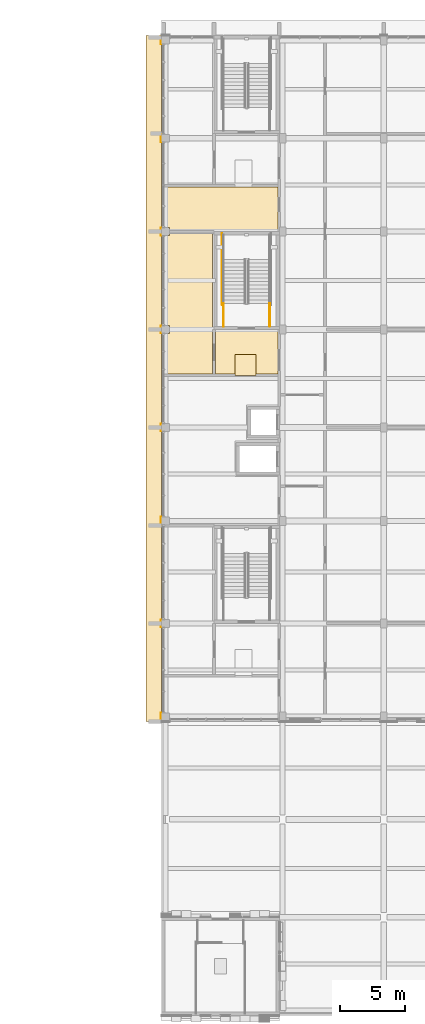
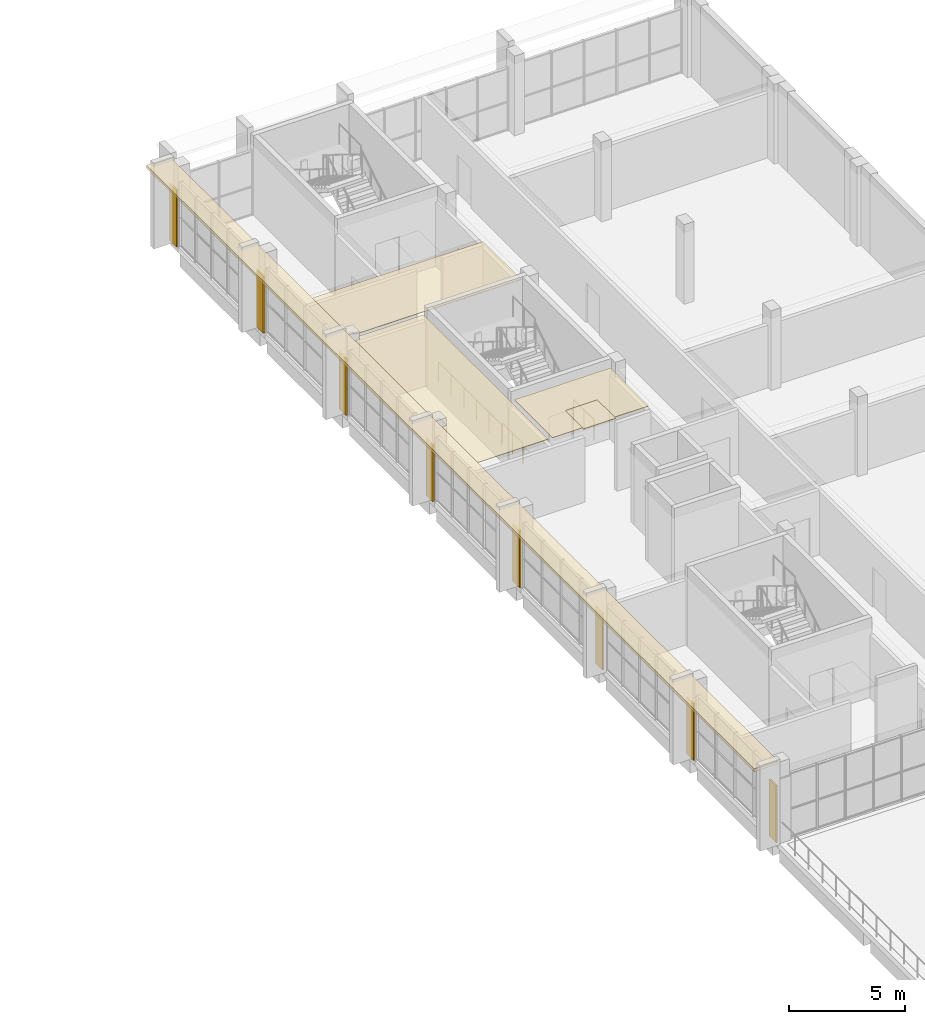
# One storey, part 40 of 42: 6 coverings, 3 railings.
"""IFC4 building model written with IfcOpenShell, lengths in metres."""

from ifc_helpers import new_model, si_unit, direction, frame, origin, origin_2d, place, context, subcontext, project, spatial, polyline, rectangle, circle, outline, extrude, material, layer, layer_set, type_object, element, save


model = new_model("IFC4")

# Units and contexts
model_context = context("Model", 3, precision=1e-05, world=origin(), true_north=direction((0.0, 1.0)))
body_context = subcontext(model_context, "Body", "Model", "MODEL_VIEW")
ifc_project = project(units=[si_unit("LENGTHUNIT", "METRE"), si_unit("AREAUNIT", "SQUARE_METRE"), si_unit("VOLUMEUNIT", "CUBIC_METRE"), si_unit("PLANEANGLEUNIT", "RADIAN"), si_unit("MASSUNIT", "GRAM", prefix="KILO")], contexts=[model_context])

# Site, building, storey
site_placement = place(None, origin())
site = spatial("IfcSite", under=ifc_project, at=site_placement, CompositionType="ELEMENT")
building_placement = place(site_placement, origin())
building = spatial("IfcBuilding", under=site, at=building_placement, Name="Sun Court Science Centre", CompositionType="ELEMENT")
storey_placement = place(building_placement, frame((0.0, 0.0, 20.25)))
storey = spatial("IfcBuildingStorey", under=building, at=storey_placement, Name="L04", CompositionType="ELEMENT", Elevation=20.25)

# Coverings
ifc_material_1 = material(Name="Gypsum board")
ifc_layer_1 = layer(ifc_material_1, 0.030029296875)
ifc_layer_set_1 = layer_set([ifc_layer_1], Name="Gypsum board")
covering_type_1 = type_object("IfcCoveringType", Name="Ceiling suspended 600 module", PredefinedType="CEILING", material=ifc_layer_set_1)
covering_1_placement = place(storey_placement, frame((0.0, 0.0, 3.77001953125)))
element("IfcCovering", 1, at=covering_1_placement, inside=storey, type_object=covering_type_1, Name="L04-010 ceiling", PredefinedType="CEILING", context=body_context, shape_type="SweptSolid", body=[
    extrude(outline(polyline([(85.199951171875, 56.60009765625), (83.60009765625, 56.60009765625), (83.60009765625, 55.10009765625), (82.10009765625, 55.10009765625), (82.10009765625, 58.39990234375), (86.89990234375, 58.39990234375), (86.89990234375, 55.10009765625), (85.199951171875, 55.10009765625), (85.199951171875, 56.60009765625)])), origin(), (0.0, 0.0, 1.0), 0.030029296875),
])
covering_2_placement = place(storey_placement, frame((0.0, 0.0, 3.77001953125)))
element("IfcCovering", 2, at=covering_2_placement, inside=storey, type_object=covering_type_1, Name="L04-015 ceiling", PredefinedType="CEILING", context=body_context, shape_type="SweptSolid", body=[
    extrude(outline(polyline([(78.60009765625, 65.89990234375), (81.89990234375, 65.89990234375), (81.89990234375, 55.10009765625), (78.199951171875, 55.10009765625), (78.199951171875, 58.199951171875), (78.60009765625, 58.199951171875), (78.60009765625, 58.800048828125), (78.199951171875, 58.800048828125), (78.199951171875, 65.699951171875), (78.60009765625, 65.699951171875), (78.60009765625, 65.89990234375)])), origin(), (0.0, 0.0, 1.0), 0.030029296875),
])
covering_3_placement = place(storey_placement, frame((0.0, 0.0, 3.77001953125)))
element("IfcCovering", 3, at=covering_3_placement, inside=storey, type_object=covering_type_1, Name="L04-016 ceiling", PredefinedType="CEILING", context=body_context, shape_type="SweptSolid", body=[
    extrude(outline(polyline([(78.199951171875, 69.39990234375), (86.89990234375, 69.39990234375), (86.89990234375, 66.10009765625), (78.60009765625, 66.10009765625), (78.60009765625, 66.300048828125), (78.199951171875, 66.300048828125), (78.199951171875, 69.39990234375)])), origin(), (0.0, 0.0, 1.0), 0.030029296875),
])
covering_4_placement = place(storey_placement, frame((0.0, 0.0, 3.77001953125)))
element("IfcCovering", 4, at=covering_4_placement, inside=storey, type_object=covering_type_1, Name="L04-024 ceiling", PredefinedType="CEILING", context=body_context, shape_type="SweptSolid", body=[
    extrude(outline(polyline([(85.199951171875, 56.60009765625), (85.199951171875, 55.0), (83.60009765625, 55.0), (83.60009765625, 56.60009765625), (85.199951171875, 56.60009765625)])), origin(), (0.0, 0.0, 1.0), 0.030029296875),
])

# Railings
ifc_material_2 = material(Name="Steel S275", Category="steel")
railing_type = type_object("IfcRailingType", Name="Guard 1100 steel balustrade", PredefinedType="GUARDRAIL", material=ifc_material_2)
for number, where, name in (
    (5, (86.27294921875, 58.75, 0.0), "L04 SL3 stair guard 7"),
    (6, (82.72705078125, 58.75, 0.0), "L04 SL3 stair guard 8"),
):
    element("IfcRailing", number, at=place(storey_placement, frame(where)), inside=storey, type_object=railing_type, Name=name, PredefinedType="GUARDRAIL", context=body_context, shape_type="SweptSolid", body=[
        extrude(circle(Radius=0.02392578125, at=origin_2d()), frame((0.0, 0.0, 1.076171875), z_axis=(0.0, 1.0, 0.0), x_axis=(-1.0, 0.0, 0.0)), (0.0, 0.0, 1.0), 1.748046875),
        extrude(circle(Radius=0.02099609375, at=origin_2d()), origin(), (0.0, 0.0, 1.0), 1.052001953125),
        extrude(circle(Radius=0.02099609375, at=origin_2d()), frame((0.0, 0.8740234375, 0.0)), (0.0, 0.0, 1.0), 1.052001953125),
        extrude(circle(Radius=0.02099609375, at=origin_2d()), frame((0.0, 1.748046875, 0.0)), (0.0, 0.0, 1.0), 1.052001953125),
    ])
railing_placement = place(storey_placement, frame((82.626953125, 60.39794921875, 0.0)))
element("IfcRailing", 7, at=railing_placement, inside=storey, type_object=railing_type, Name="L04 SL3 stair guard 10", PredefinedType="GUARDRAIL", context=body_context, shape_type="SweptSolid", body=[
    extrude(circle(Radius=0.02392578125, at=origin_2d()), frame((0.0, 0.0, 1.076171875), z_axis=(0.0, 1.0, 0.0), x_axis=(-1.0, 0.0, 0.0)), (0.0, 0.0, 1.0), 5.4521484375),
    extrude(circle(Radius=0.02099609375, at=origin_2d()), origin(), (0.0, 0.0, 1.0), 1.052001953125),
    extrude(circle(Radius=0.02099609375, at=origin_2d()), frame((0.0, 1.09033203125, 0.0)), (0.0, 0.0, 1.0), 1.052001953125),
    extrude(circle(Radius=0.02099609375, at=origin_2d()), frame((0.0, 2.180908203125, 0.0)), (0.0, 0.0, 1.0), 1.052001953125),
    extrude(circle(Radius=0.02099609375, at=origin_2d()), frame((0.0, 3.271240234375, 0.0)), (0.0, 0.0, 1.0), 1.052001953125),
    extrude(circle(Radius=0.02099609375, at=origin_2d()), frame((0.0, 4.36181640625, 0.0)), (0.0, 0.0, 1.0), 1.052001953125),
    extrude(circle(Radius=0.02099609375, at=origin_2d()), frame((0.0, 5.4521484375, 0.0)), (0.0, 0.0, 1.0), 1.052001953125),
])

# Coverings
ifc_material_3 = material(Name="Red sandstone", Category="masonry")
ifc_layer_2 = layer(ifc_material_3, 0.080078125)
ifc_layer_set_2 = layer_set([ifc_layer_2], Name="Red sandstone")
covering_type_2 = type_object("IfcCoveringType", Name="Red sandstone pier cladding", PredefinedType="CLADDING", material=ifc_layer_set_2)
covering_5_placement = place(storey_placement, frame((0.0, 0.0, -20.25)))
element("IfcCovering", 8, at=covering_5_placement, inside=storey, type_object=covering_type_2, Name="Red sandstone pier cladding west face L04", PredefinedType="CLADDING", context=body_context, shape_type="SweptSolid", body=[
    extrude(rectangle(XDim=0.60009765625, YDim=0.080078125, at=origin_2d()), frame((77.9599609375, 28.85009765625, 20.25), z_axis=(0.0, 0.0, 1.0), x_axis=(0.0, 1.0, 0.0)), (0.0, 0.0, 1.0), 3.0),
    extrude(rectangle(XDim=0.60009765625, YDim=0.080078125, at=origin_2d()), frame((77.9599609375, 36.0, 20.25), z_axis=(0.0, 0.0, 1.0), x_axis=(0.0, 1.0, 0.0)), (0.0, 0.0, 1.0), 3.0),
    extrude(rectangle(XDim=0.60009765625, YDim=0.080078125, at=origin_2d()), frame((77.9599609375, 43.85009765625, 20.25), z_axis=(0.0, 0.0, 1.0), x_axis=(0.0, 1.0, 0.0)), (0.0, 0.0, 1.0), 3.0),
    extrude(rectangle(XDim=0.60009765625, YDim=0.080078125, at=origin_2d()), frame((77.9599609375, 51.0, 20.25), z_axis=(0.0, 0.0, 1.0), x_axis=(0.0, 1.0, 0.0)), (0.0, 0.0, 1.0), 3.0),
    extrude(rectangle(XDim=0.60009765625, YDim=0.080078125, at=origin_2d()), frame((77.9599609375, 58.5, 20.25), z_axis=(0.0, 0.0, 1.0), x_axis=(0.0, 1.0, 0.0)), (0.0, 0.0, 1.0), 3.0),
    extrude(rectangle(XDim=0.60009765625, YDim=0.080078125, at=origin_2d()), frame((77.9599609375, 66.0, 20.25), z_axis=(0.0, 0.0, 1.0), x_axis=(0.0, 1.0, 0.0)), (0.0, 0.0, 1.0), 3.0),
    extrude(rectangle(XDim=0.60009765625, YDim=0.080078125, at=origin_2d()), frame((77.9599609375, 73.14990234375, 20.25), z_axis=(0.0, 0.0, 1.0), x_axis=(0.0, 1.0, 0.0)), (0.0, 0.0, 1.0), 3.0),
    extrude(rectangle(XDim=0.60009765625, YDim=0.080078125, at=origin_2d()), frame((77.9599609375, 80.64990234375, 20.25), z_axis=(0.0, 0.0, 1.0), x_axis=(0.0, 1.0, 0.0)), (0.0, 0.0, 1.0), 3.0),
])
ifc_material_4 = material(Name="Red sandstone", Category="masonry")
ifc_layer_3 = layer(ifc_material_4, 0.14990234375)
ifc_layer_set_3 = layer_set([ifc_layer_3], Name="Red sandstone")
covering_type_3 = type_object("IfcCoveringType", Name="Sandstone chhajja eave 1200", PredefinedType="CLADDING", material=ifc_layer_set_3)
covering_6_placement = place(storey_placement, frame((0.0, 0.0, 4.169921875)))
element("IfcCovering", 9, at=covering_6_placement, inside=storey, type_object=covering_type_3, Name="Chhajja eave west court face L04", PredefinedType="CLADDING", context=body_context, shape_type="SweptSolid", body=[
    extrude(outline(polyline([(76.800048828125, 28.5), (78.0, 28.5), (78.0, 81.0), (76.800048828125, 81.0), (76.800048828125, 28.5)])), origin(), (0.0, 0.0, 1.0), 0.150146484375),
])

save(model, "model.ifc")
